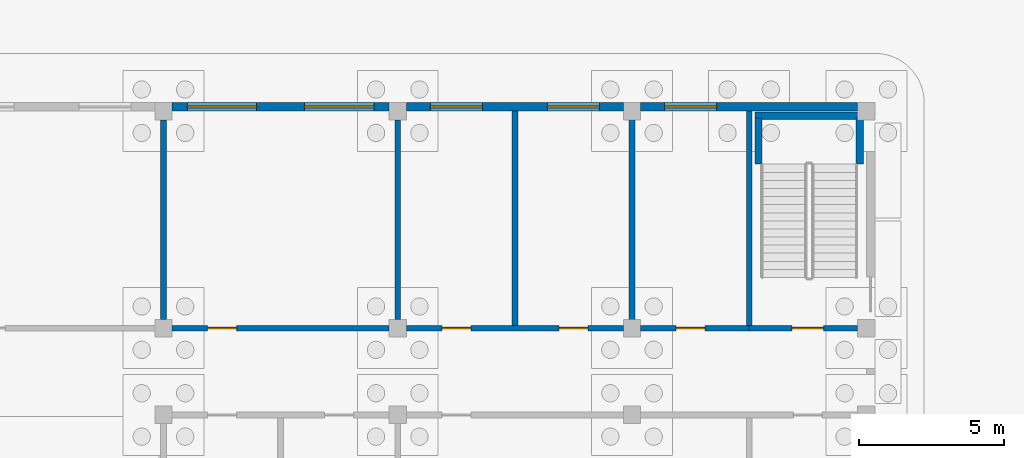
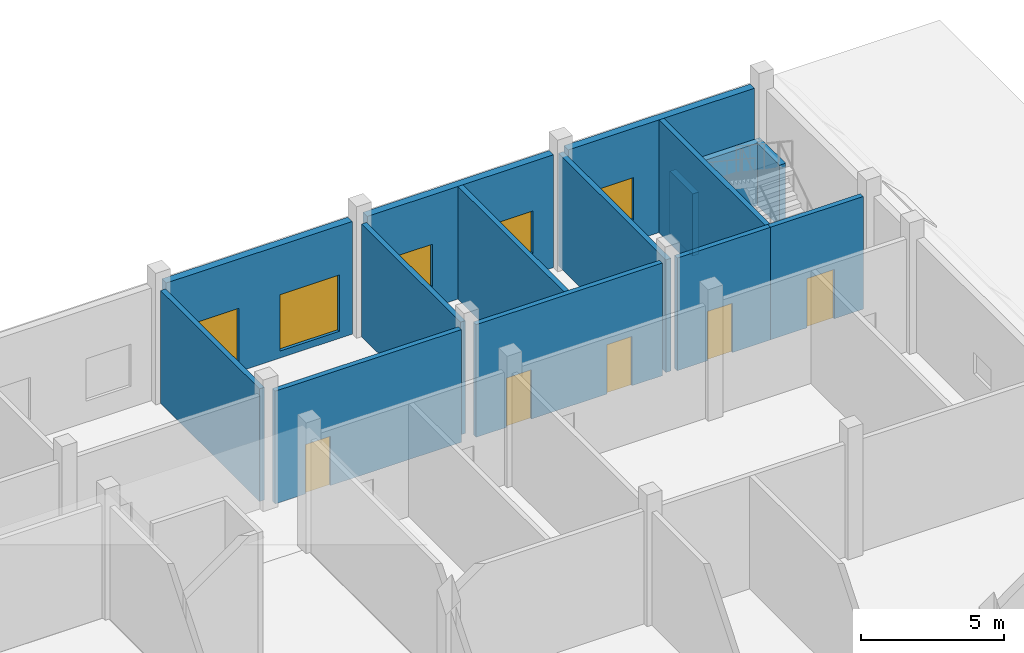
# One storey, part 28 of 44: 15 walls, 5 doors, 5 windows, 10 openings.
"""IFC4 building model written with IfcOpenShell, lengths in metres."""

from ifc_helpers import new_model, si_unit, direction, frame, frame_2d, origin, place, context, subcontext, project, spatial, rectangle, extrude, material, layer, layer_set, type_object, element, fill, save


model = new_model("IFC4")

# Units and contexts
model_context = context("Model", 3, precision=1e-05, world=origin(), true_north=direction((0.0, 1.0)))
body_context = subcontext(model_context, "Body", "Model", "MODEL_VIEW")
ifc_project = project(units=[si_unit("LENGTHUNIT", "METRE"), si_unit("AREAUNIT", "SQUARE_METRE"), si_unit("VOLUMEUNIT", "CUBIC_METRE"), si_unit("PLANEANGLEUNIT", "RADIAN"), si_unit("MASSUNIT", "GRAM", prefix="KILO")], contexts=[model_context])

# Site, building, storey
site_placement = place(None, origin())
site = spatial("IfcSite", under=ifc_project, at=site_placement, CompositionType="ELEMENT")
building_placement = place(site_placement, origin())
building = spatial("IfcBuilding", under=site, at=building_placement, Name="Frailejon Research Tower", CompositionType="ELEMENT")
storey_placement = place(building_placement, origin())
storey = spatial("IfcBuildingStorey", under=building, at=storey_placement, Name="L00", CompositionType="ELEMENT", Elevation=0.0)

# Wall, openings, windows
ifc_material_1 = material(Name="Insulated masonry cavity wall", Category="masonry")
ifc_layer_1 = layer(ifc_material_1, 0.300048828125)
ifc_layer_set_1 = layer_set([ifc_layer_1], Name="HC facade wall 300")
wall_type_1 = type_object("IfcWallType", Name="HC facade wall 300", PredefinedType="SOLIDWALL", material=ifc_layer_set_1)
wall_1_placement = place(storey_placement, frame((77.199951171875, 20.39990234375, 0.0), z_axis=(0.0, 0.0, 1.0), x_axis=(1.0, 0.0, 0.0)))
wall_1 = element("IfcWall", 1, at=wall_1_placement, inside=storey, type_object=wall_type_1, Name="HC facade wall", PredefinedType="SOLIDWALL", context=body_context, shape_type="SweptSolid", body=[
    extrude(rectangle(XDim=7.5, YDim=0.300048828125, at=frame_2d((3.75, 0.0))), origin(), (0.0, 0.0, 1.0), 4.800048828125),
])
opening_1_placement = place(wall_1_placement, frame((0.52490234375, 0.0, 0.300048828125)))
opening_1 = element("IfcOpeningElement", 2, at=opening_1_placement, cuts=wall_1, Name="Opening HW023", PredefinedType="OPENING", context=body_context, shape_type="SweptSolid", body=[
    extrude(rectangle(XDim=2.39990234375, YDim=2.39990234375, at=frame_2d((1.199951171875, 1.199951171875))), frame((0.0, 0.159912109375, 0.0), z_axis=(0.0, -1.0, 0.0), x_axis=(1.0, 0.0, 0.0)), (0.0, 0.0, 1.0), 0.320068359375),
])
opening_2_placement = place(wall_1_placement, frame((4.574951171875, 0.0, 0.300048828125)))
opening_2 = element("IfcOpeningElement", 3, at=opening_2_placement, cuts=wall_1, Name="Opening HW024", PredefinedType="OPENING", context=body_context, shape_type="SweptSolid", body=[
    extrude(rectangle(XDim=2.39990234375, YDim=2.39990234375, at=frame_2d((1.199951171875, 1.199951171875))), frame((0.0, 0.159912109375, 0.0), z_axis=(0.0, -1.0, 0.0), x_axis=(1.0, 0.0, 0.0)), (0.0, 0.0, 1.0), 0.320068359375),
])
ifc_material_2 = material(Name="Aluminium framed double glazing", Category="aluminium")
window_type_1 = type_object("IfcWindowType", Name="HC window 2400x2400", PartitioningType="DOUBLE_PANEL_VERTICAL", PredefinedType="WINDOW", material=ifc_material_2)
window_1_placement = place(opening_1_placement, origin())
window_1 = element("IfcWindow", 4, at=window_1_placement, inside=storey, type_object=window_type_1, Name="Window HW023 (HCW3)", OverallHeight=2.39990234375, OverallWidth=2.39990234375, PartitioningType="DOUBLE_PANEL_VERTICAL", PredefinedType="WINDOW", context=body_context, shape_type="SweptSolid", body=[
    extrude(rectangle(XDim=2.39990234375, YDim=2.39990234375, at=frame_2d((1.199951171875, 1.199951171875))), frame((0.0, 0.030029296875, 0.0), z_axis=(0.0, -1.0, 0.0), x_axis=(1.0, 0.0, 0.0)), (0.0, 0.0, 1.0), 0.06005859375),
])
fill(opening_1, window_1)
window_2_placement = place(opening_2_placement, origin())
window_2 = element("IfcWindow", 5, at=window_2_placement, inside=storey, type_object=window_type_1, Name="Window HW024 (HCW3)", OverallHeight=2.39990234375, OverallWidth=2.39990234375, PartitioningType="DOUBLE_PANEL_VERTICAL", PredefinedType="WINDOW", context=body_context, shape_type="SweptSolid", body=[
    extrude(rectangle(XDim=2.39990234375, YDim=2.39990234375, at=frame_2d((1.199951171875, 1.199951171875))), frame((0.0, 0.030029296875, 0.0), z_axis=(0.0, -1.0, 0.0), x_axis=(1.0, 0.0, 0.0)), (0.0, 0.0, 1.0), 0.06005859375),
])
fill(opening_2, window_2)

wall_2_placement = place(storey_placement, frame((85.300048828125, 20.39990234375, 0.0), z_axis=(0.0, 0.0, 1.0), x_axis=(1.0, 0.0, 0.0)))
wall_2 = element("IfcWall", 6, at=wall_2_placement, inside=storey, type_object=wall_type_1, Name="HC facade wall", PredefinedType="SOLIDWALL", context=body_context, shape_type="SweptSolid", body=[
    extrude(rectangle(XDim=7.5, YDim=0.300048828125, at=frame_2d((3.75, 0.0))), origin(), (0.0, 0.0, 1.0), 4.800048828125),
])
opening_3_placement = place(wall_2_placement, frame((0.824951171875, 0.0, 0.89990234375)))
opening_3 = element("IfcOpeningElement", 7, at=opening_3_placement, cuts=wall_2, Name="Opening HW025", PredefinedType="OPENING", context=body_context, shape_type="SweptSolid", body=[
    extrude(rectangle(XDim=1.800048828125, YDim=1.800048828125, at=frame_2d((0.89990234375, 0.89990234375))), frame((0.0, 0.159912109375, 0.0), z_axis=(0.0, -1.0, 0.0), x_axis=(1.0, 0.0, 0.0)), (0.0, 0.0, 1.0), 0.320068359375),
])
opening_4_placement = place(wall_2_placement, frame((4.875, 0.0, 0.89990234375)))
opening_4 = element("IfcOpeningElement", 8, at=opening_4_placement, cuts=wall_2, Name="Opening HW026", PredefinedType="OPENING", context=body_context, shape_type="SweptSolid", body=[
    extrude(rectangle(XDim=1.800048828125, YDim=1.800048828125, at=frame_2d((0.89990234375, 0.89990234375))), frame((0.0, 0.159912109375, 0.0), z_axis=(0.0, -1.0, 0.0), x_axis=(1.0, 0.0, 0.0)), (0.0, 0.0, 1.0), 0.320068359375),
])
ifc_material_3 = material(Name="Aluminium framed double glazing", Category="aluminium")
window_type_2 = type_object("IfcWindowType", Name="HC window 1800x1800", PartitioningType="SINGLE_PANEL", PredefinedType="WINDOW", material=ifc_material_3)
window_3_placement = place(opening_3_placement, origin())
window_3 = element("IfcWindow", 9, at=window_3_placement, inside=storey, type_object=window_type_2, Name="Window HW025 (HCW1)", OverallHeight=1.800048828125, OverallWidth=1.800048828125, PartitioningType="SINGLE_PANEL", PredefinedType="WINDOW", context=body_context, shape_type="SweptSolid", body=[
    extrude(rectangle(XDim=1.800048828125, YDim=1.800048828125, at=frame_2d((0.89990234375, 0.89990234375))), frame((0.0, 0.030029296875, 0.0), z_axis=(0.0, -1.0, 0.0), x_axis=(1.0, 0.0, 0.0)), (0.0, 0.0, 1.0), 0.06005859375),
])
fill(opening_3, window_3)
window_4_placement = place(opening_4_placement, origin())
window_4 = element("IfcWindow", 10, at=window_4_placement, inside=storey, type_object=window_type_2, Name="Window HW026 (HCW1)", OverallHeight=1.800048828125, OverallWidth=1.800048828125, PartitioningType="SINGLE_PANEL", PredefinedType="WINDOW", context=body_context, shape_type="SweptSolid", body=[
    extrude(rectangle(XDim=1.800048828125, YDim=1.800048828125, at=frame_2d((0.89990234375, 0.89990234375))), frame((0.0, 0.030029296875, 0.0), z_axis=(0.0, -1.0, 0.0), x_axis=(1.0, 0.0, 0.0)), (0.0, 0.0, 1.0), 0.06005859375),
])
fill(opening_4, window_4)

# Wall, opening, window
wall_3_placement = place(storey_placement, frame((93.39990234375, 20.39990234375, 0.0), z_axis=(0.0, 0.0, 1.0), x_axis=(1.0, 0.0, 0.0)))
wall_3 = element("IfcWall", 11, at=wall_3_placement, inside=storey, type_object=wall_type_1, Name="HC facade wall", PredefinedType="SOLIDWALL", context=body_context, shape_type="SweptSolid", body=[
    extrude(rectangle(XDim=7.5, YDim=0.300048828125, at=frame_2d((3.75, 0.0))), origin(), (0.0, 0.0, 1.0), 4.800048828125),
])
opening_5_placement = place(wall_3_placement, frame((0.824951171875, 0.0, 0.89990234375)))
opening_5 = element("IfcOpeningElement", 12, at=opening_5_placement, cuts=wall_3, Name="Opening HW027", PredefinedType="OPENING", context=body_context, shape_type="SweptSolid", body=[
    extrude(rectangle(XDim=1.800048828125, YDim=1.800048828125, at=frame_2d((0.89990234375, 0.89990234375))), frame((0.0, 0.159912109375, 0.0), z_axis=(0.0, -1.0, 0.0), x_axis=(1.0, 0.0, 0.0)), (0.0, 0.0, 1.0), 0.320068359375),
])
window_5_placement = place(opening_5_placement, origin())
window_5 = element("IfcWindow", 13, at=window_5_placement, inside=storey, type_object=window_type_2, Name="Window HW027 (HCW1)", OverallHeight=1.800048828125, OverallWidth=1.800048828125, PartitioningType="SINGLE_PANEL", PredefinedType="WINDOW", context=body_context, shape_type="SweptSolid", body=[
    extrude(rectangle(XDim=1.800048828125, YDim=1.800048828125, at=frame_2d((0.89990234375, 0.89990234375))), frame((0.0, 0.030029296875, 0.0), z_axis=(0.0, -1.0, 0.0), x_axis=(1.0, 0.0, 0.0)), (0.0, 0.0, 1.0), 0.06005859375),
])
fill(opening_5, window_5)

# Wall
ifc_material_4 = material(Name="Concrete C35/45", Category="concrete")
ifc_layer_2 = layer(ifc_material_4, 0.199951171875)
ifc_layer_set_2 = layer_set([ifc_layer_2], Name="HC fire wall 200")
wall_type_2 = type_object("IfcWallType", Name="HC fire wall 200", PredefinedType="SOLIDWALL", material=ifc_layer_set_2)
wall_4_placement = place(storey_placement, frame((97.14990234375, 12.85009765625, 0.0), z_axis=(0.0, 0.0, 1.0), x_axis=(0.0, 1.0, 0.0)))
element("IfcWall", 14, at=wall_4_placement, inside=storey, type_object=wall_type_2, Name="HC fire-resisting wall", PredefinedType="SOLIDWALL", context=body_context, shape_type="SweptSolid", body=[
    extrude(rectangle(XDim=7.39990234375, YDim=0.199951171875, at=frame_2d((3.699951171875, 0.0))), origin(), (0.0, 0.0, 1.0), 4.800048828125),
])

# Wall, opening, door
wall_5_placement = place(storey_placement, frame((97.14990234375, 12.75, 0.0), z_axis=(0.0, 0.0, 1.0), x_axis=(1.0, 0.0, 0.0)))
wall_5 = element("IfcWall", 15, at=wall_5_placement, inside=storey, type_object=wall_type_2, Name="HC fire-resisting wall", PredefinedType="SOLIDWALL", context=body_context, shape_type="SweptSolid", body=[
    extrude(rectangle(XDim=3.75, YDim=0.199951171875, at=frame_2d((1.875, 0.0))), origin(), (0.0, 0.0, 1.0), 4.800048828125),
])
opening_6_placement = place(wall_5_placement, frame((1.47509765625, 0.0, 0.0)))
opening_6 = element("IfcOpeningElement", 16, at=opening_6_placement, cuts=wall_5, Name="Opening HD032", PredefinedType="OPENING", context=body_context, shape_type="SweptSolid", body=[
    extrude(rectangle(XDim=1.10009765625, YDim=2.10009765625, at=frame_2d((0.550048828125, 1.050048828125))), frame((0.0, 0.10986328125, 0.0), z_axis=(0.0, -1.0, 0.0), x_axis=(1.0, 0.0, 0.0)), (0.0, 0.0, 1.0), 0.219970703125),
])
ifc_material_5 = material(Name="Steel fire door leaf", Category="steel")
door_type_1 = type_object("IfcDoorType", Name="HC stair door 1100 left", OperationType="SINGLE_SWING_LEFT", PredefinedType="DOOR", material=ifc_material_5)
door_1_placement = place(opening_6_placement, origin())
door_1 = element("IfcDoor", 17, at=door_1_placement, inside=storey, type_object=door_type_1, Name="Door HD032", OperationType="SINGLE_SWING_LEFT", OverallHeight=2.10009765625, OverallWidth=1.10009765625, PredefinedType="DOOR", context=body_context, shape_type="SweptSolid", body=[
    extrude(rectangle(XDim=1.10009765625, YDim=2.10009765625, at=frame_2d((0.550048828125, 1.050048828125))), frame((0.0, 0.02490234375, 0.0), z_axis=(0.0, -1.0, 0.0), x_axis=(1.0, 0.0, 0.0)), (0.0, 0.0, 1.0), 0.050048828125),
])
fill(opening_6, door_1)

# Walls
ifc_material_6 = material(Name="Masonry blockwork partition", Category="masonry")
ifc_layer_3 = layer(ifc_material_6, 0.199951171875)
ifc_layer_set_3 = layer_set([ifc_layer_3], Name="HC partition 200")
wall_type_3 = type_object("IfcWallType", Name="HC partition 200", PredefinedType="PARTITIONING", material=ifc_layer_set_3)
wall_6_placement = place(storey_placement, frame((85.0, 13.050048828125, 0.0), z_axis=(0.0, 0.0, 1.0), x_axis=(0.0, 1.0, 0.0)))
element("IfcWall", 18, at=wall_6_placement, inside=storey, type_object=wall_type_3, Name="HC partition", PredefinedType="PARTITIONING", context=body_context, shape_type="SweptSolid", body=[
    extrude(rectangle(XDim=6.89990234375, YDim=0.199951171875, at=frame_2d((3.449951171875, 0.0))), origin(), (0.0, 0.0, 1.0), 4.800048828125),
])
wall_7_placement = place(storey_placement, frame((89.050048828125, 12.85009765625, 0.0), z_axis=(0.0, 0.0, 1.0), x_axis=(0.0, 1.0, 0.0)))
element("IfcWall", 19, at=wall_7_placement, inside=storey, type_object=wall_type_3, Name="HC partition", PredefinedType="PARTITIONING", context=body_context, shape_type="SweptSolid", body=[
    extrude(rectangle(XDim=7.39990234375, YDim=0.199951171875, at=frame_2d((3.699951171875, 0.0))), origin(), (0.0, 0.0, 1.0), 4.800048828125),
])
wall_8_placement = place(storey_placement, frame((93.10009765625, 12.75, 0.0), z_axis=(0.0, 0.0, 1.0), x_axis=(0.0, 1.0, 0.0)))
element("IfcWall", 20, at=wall_8_placement, inside=storey, type_object=wall_type_3, Name="HC partition", PredefinedType="PARTITIONING", context=body_context, shape_type="SweptSolid", body=[
    extrude(rectangle(XDim=7.5, YDim=0.199951171875, at=frame_2d((3.75, 0.0))), origin(), (0.0, 0.0, 1.0), 4.800048828125),
])
wall_9_placement = place(storey_placement, frame((76.89990234375, 13.050048828125, 0.0), z_axis=(0.0, 0.0, 1.0), x_axis=(0.0, 1.0, 0.0)))
element("IfcWall", 21, at=wall_9_placement, inside=storey, type_object=wall_type_3, Name="HC partition", PredefinedType="PARTITIONING", context=body_context, shape_type="SweptSolid", body=[
    extrude(rectangle(XDim=6.89990234375, YDim=0.199951171875, at=frame_2d((3.449951171875, 0.0))), origin(), (0.0, 0.0, 1.0), 4.800048828125),
])

# Wall, opening, door
wall_10_placement = place(storey_placement, frame((77.199951171875, 12.75, 0.0), z_axis=(0.0, 0.0, 1.0), x_axis=(1.0, 0.0, 0.0)))
wall_10 = element("IfcWall", 22, at=wall_10_placement, inside=storey, type_object=wall_type_3, Name="HC partition", PredefinedType="PARTITIONING", context=body_context, shape_type="SweptSolid", body=[
    extrude(rectangle(XDim=7.5, YDim=0.199951171875, at=frame_2d((3.75, 0.0))), origin(), (0.0, 0.0, 1.0), 4.800048828125),
])
opening_7_placement = place(wall_10_placement, frame((1.22509765625, 0.0, 0.0)))
opening_7 = element("IfcOpeningElement", 23, at=opening_7_placement, cuts=wall_10, Name="Opening HD028", PredefinedType="OPENING", context=body_context, shape_type="SweptSolid", body=[
    extrude(rectangle(XDim=1.0, YDim=2.10009765625, at=frame_2d((0.5, 1.050048828125))), frame((0.0, 0.10986328125, 0.0), z_axis=(0.0, -1.0, 0.0), x_axis=(1.0, 0.0, 0.0)), (0.0, 0.0, 1.0), 0.219970703125),
])
ifc_material_7 = material(Name="Timber veneered fire door leaf", Category="wood")
door_type_2 = type_object("IfcDoorType", Name="HC door 1000 left", OperationType="SINGLE_SWING_LEFT", PredefinedType="DOOR", material=ifc_material_7)
door_2_placement = place(opening_7_placement, origin())
door_2 = element("IfcDoor", 24, at=door_2_placement, inside=storey, type_object=door_type_2, Name="Door HD028", OperationType="SINGLE_SWING_LEFT", OverallHeight=2.10009765625, OverallWidth=1.0, PredefinedType="DOOR", context=body_context, shape_type="SweptSolid", body=[
    extrude(rectangle(XDim=1.0, YDim=2.10009765625, at=frame_2d((0.5, 1.050048828125))), frame((0.0, 0.02490234375, 0.0), z_axis=(0.0, -1.0, 0.0), x_axis=(1.0, 0.0, 0.0)), (0.0, 0.0, 1.0), 0.050048828125),
])
fill(opening_7, door_2)

# Wall, openings, doors
wall_11_placement = place(storey_placement, frame((85.300048828125, 12.75, 0.0), z_axis=(0.0, 0.0, 1.0), x_axis=(1.0, 0.0, 0.0)))
wall_11 = element("IfcWall", 25, at=wall_11_placement, inside=storey, type_object=wall_type_3, Name="HC partition", PredefinedType="PARTITIONING", context=body_context, shape_type="SweptSolid", body=[
    extrude(rectangle(XDim=7.5, YDim=0.199951171875, at=frame_2d((3.75, 0.0))), origin(), (0.0, 0.0, 1.0), 4.800048828125),
])
opening_8_placement = place(wall_11_placement, frame((1.22509765625, 0.0, 0.0)))
opening_8 = element("IfcOpeningElement", 26, at=opening_8_placement, cuts=wall_11, Name="Opening HD029", PredefinedType="OPENING", context=body_context, shape_type="SweptSolid", body=[
    extrude(rectangle(XDim=1.0, YDim=2.10009765625, at=frame_2d((0.5, 1.050048828125))), frame((0.0, 0.10986328125, 0.0), z_axis=(0.0, -1.0, 0.0), x_axis=(1.0, 0.0, 0.0)), (0.0, 0.0, 1.0), 0.219970703125),
])
opening_9_placement = place(wall_11_placement, frame((5.27490234375, 0.0, 0.0)))
opening_9 = element("IfcOpeningElement", 27, at=opening_9_placement, cuts=wall_11, Name="Opening HD030", PredefinedType="OPENING", context=body_context, shape_type="SweptSolid", body=[
    extrude(rectangle(XDim=1.0, YDim=2.10009765625, at=frame_2d((0.5, 1.050048828125))), frame((0.0, 0.10986328125, 0.0), z_axis=(0.0, -1.0, 0.0), x_axis=(1.0, 0.0, 0.0)), (0.0, 0.0, 1.0), 0.219970703125),
])
door_3_placement = place(opening_9_placement, origin())
door_3 = element("IfcDoor", 28, at=door_3_placement, inside=storey, type_object=door_type_2, Name="Door HD030", OperationType="SINGLE_SWING_LEFT", OverallHeight=2.10009765625, OverallWidth=1.0, PredefinedType="DOOR", context=body_context, shape_type="SweptSolid", body=[
    extrude(rectangle(XDim=1.0, YDim=2.10009765625, at=frame_2d((0.5, 1.050048828125))), frame((0.0, 0.02490234375, 0.0), z_axis=(0.0, -1.0, 0.0), x_axis=(1.0, 0.0, 0.0)), (0.0, 0.0, 1.0), 0.050048828125),
])
fill(opening_9, door_3)
ifc_material_8 = material(Name="Timber veneered fire door leaf", Category="wood")
door_type_3 = type_object("IfcDoorType", Name="HC door 1000 right", OperationType="SINGLE_SWING_RIGHT", PredefinedType="DOOR", material=ifc_material_8)
door_4_placement = place(opening_8_placement, origin())
door_4 = element("IfcDoor", 29, at=door_4_placement, inside=storey, type_object=door_type_3, Name="Door HD029", OperationType="SINGLE_SWING_RIGHT", OverallHeight=2.10009765625, OverallWidth=1.0, PredefinedType="DOOR", context=body_context, shape_type="SweptSolid", body=[
    extrude(rectangle(XDim=1.0, YDim=2.10009765625, at=frame_2d((0.5, 1.050048828125))), frame((0.0, 0.02490234375, 0.0), z_axis=(0.0, -1.0, 0.0), x_axis=(1.0, 0.0, 0.0)), (0.0, 0.0, 1.0), 0.050048828125),
])
fill(opening_8, door_4)

# Wall, opening, door
wall_12_placement = place(storey_placement, frame((93.39990234375, 12.75, 0.0), z_axis=(0.0, 0.0, 1.0), x_axis=(1.0, 0.0, 0.0)))
wall_12 = element("IfcWall", 30, at=wall_12_placement, inside=storey, type_object=wall_type_3, Name="HC partition", PredefinedType="PARTITIONING", context=body_context, shape_type="SweptSolid", body=[
    extrude(rectangle(XDim=3.75, YDim=0.199951171875, at=frame_2d((1.875, 0.0))), origin(), (0.0, 0.0, 1.0), 4.800048828125),
])
opening_10_placement = place(wall_12_placement, frame((1.22509765625, 0.0, 0.0)))
opening_10 = element("IfcOpeningElement", 31, at=opening_10_placement, cuts=wall_12, Name="Opening HD031", PredefinedType="OPENING", context=body_context, shape_type="SweptSolid", body=[
    extrude(rectangle(XDim=1.0, YDim=2.10009765625, at=frame_2d((0.5, 1.050048828125))), frame((0.0, 0.10986328125, 0.0), z_axis=(0.0, -1.0, 0.0), x_axis=(1.0, 0.0, 0.0)), (0.0, 0.0, 1.0), 0.219970703125),
])
door_5_placement = place(opening_10_placement, origin())
door_5 = element("IfcDoor", 32, at=door_5_placement, inside=storey, type_object=door_type_3, Name="Door HD031", OperationType="SINGLE_SWING_RIGHT", OverallHeight=2.10009765625, OverallWidth=1.0, PredefinedType="DOOR", context=body_context, shape_type="SweptSolid", body=[
    extrude(rectangle(XDim=1.0, YDim=2.10009765625, at=frame_2d((0.5, 1.050048828125))), frame((0.0, 0.02490234375, 0.0), z_axis=(0.0, -1.0, 0.0), x_axis=(1.0, 0.0, 0.0)), (0.0, 0.0, 1.0), 0.050048828125),
])
fill(opening_10, door_5)

# Walls
ifc_material_9 = material(Name="Concrete C35/45", Category="concrete")
ifc_layer_4 = layer(ifc_material_9, 0.25)
ifc_layer_set_4 = layer_set([ifc_layer_4], Name="HC stair landing wall 250")
wall_type_4 = type_object("IfcWallType", Name="HC stair landing wall 250", PredefinedType="SOLIDWALL", material=ifc_layer_set_4)
for number, where, z_axis, x_axis, name in (
    (33, (97.47509765625, 18.419921875, 0.0), (0.0, 0.0, 1.0), (0.0, 1.0, 0.0), "HC stair landing wall"),
    (34, (100.97509765625, 18.419921875, 0.0), (0.0, 0.0, 1.0), (0.0, 1.0, 0.0), "HC stair landing wall"),
):
    element("IfcWall", number, at=place(storey_placement, frame(where, z_axis=z_axis, x_axis=x_axis)), inside=storey, type_object=wall_type_4, Name=name, PredefinedType="SOLIDWALL", context=body_context, shape_type="SweptSolid", body=[
        extrude(rectangle(XDim=1.60009765625, YDim=0.25, at=frame_2d((0.800048828125, 0.0))), origin(), (0.0, 0.0, 1.0), 2.64990234375),
    ])
wall_13_placement = place(storey_placement, frame((97.35009765625, 20.094970703125, 0.0), z_axis=(0.0, 0.0, 1.0), x_axis=(1.0, 0.0, 0.0)))
element("IfcWall", 35, at=wall_13_placement, inside=storey, type_object=wall_type_4, Name="HC stair landing wall", PredefinedType="SOLIDWALL", context=body_context, shape_type="SweptSolid", body=[
    extrude(rectangle(XDim=3.75, YDim=0.25, at=frame_2d((1.875, 0.0))), origin(), (0.0, 0.0, 1.0), 2.64990234375),
])

save(model, "model.ifc")
